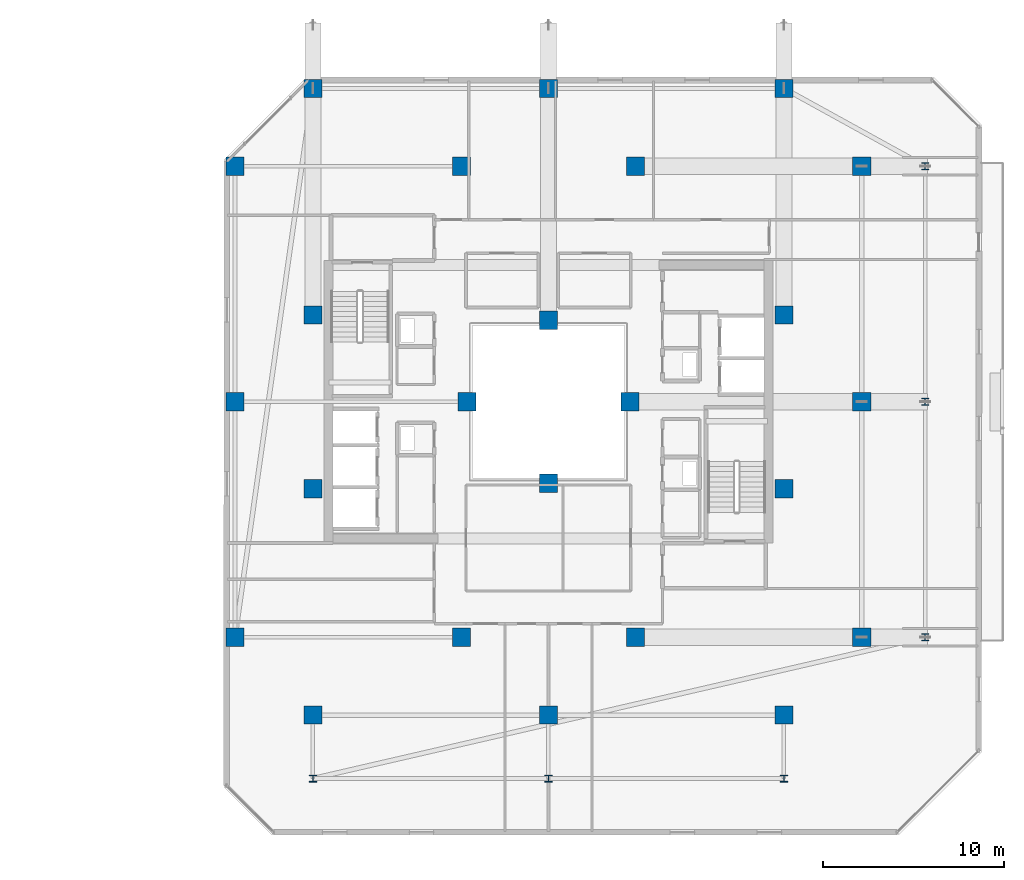
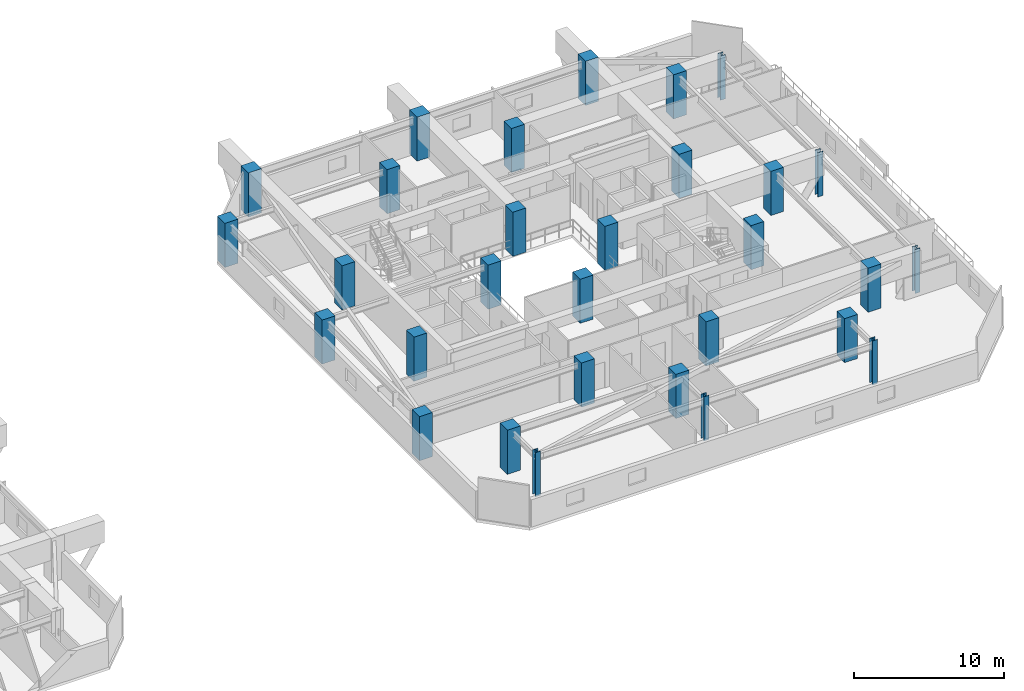
# One storey, part 2 of 34: 30 columns.
"""IFC4 building model written with IfcOpenShell, lengths in metres."""

from ifc_helpers import new_model, si_unit, direction, frame, origin, origin_2d, place, context, subcontext, project, spatial, rectangle, i_section, extrude, material, material_profile, profile_set, type_object, element, save


model = new_model("IFC4")

# Units and contexts
model_context = context("Model", 3, precision=1e-05, world=origin(), true_north=direction((0.0, 1.0)))
body_context = subcontext(model_context, "Body", "Model", "MODEL_VIEW")
ifc_project = project(units=[si_unit("LENGTHUNIT", "METRE"), si_unit("AREAUNIT", "SQUARE_METRE"), si_unit("VOLUMEUNIT", "CUBIC_METRE"), si_unit("PLANEANGLEUNIT", "RADIAN"), si_unit("MASSUNIT", "GRAM", prefix="KILO")], contexts=[model_context])

# Site, building, storey
site_placement = place(None, origin())
site = spatial("IfcSite", under=ifc_project, at=site_placement, CompositionType="ELEMENT")
building_placement = place(site_placement, origin())
building = spatial("IfcBuilding", under=site, at=building_placement, Name="Thornwick Lancets Civic Towers", CompositionType="ELEMENT")
storey_placement = place(building_placement, frame((0.0, 0.0, 251.10009765625)))
storey = spatial("IfcBuildingStorey", under=building, at=storey_placement, Name="L67", CompositionType="ELEMENT", Elevation=251.10009765625)

# Columns
ifc_material_1 = material(Name="Concrete C50/60", Category="concrete")
ifc_material_profile_1 = material_profile(ifc_material_1, rectangle(XDim=1.0, YDim=1.0, at=origin_2d()), Name="RC 1000x1000")
ifc_profile_set_1 = profile_set([ifc_material_profile_1], Name="Concrete C50/60")
column_type_1 = type_object("IfcColumnType", Name="COL_RC_1000", PredefinedType="COLUMN", material=ifc_profile_set_1)
for number, where, z_axis, x_axis, name in (
    (1, (105.800048828125, 14.0, 0.0), (0.0, 0.0, 1.0), (1.0, 0.0, 0.0), "L67 Spine Mega-Column B01"),
    (2, (105.800048828125, 27.0, 0.0), (0.0, 0.0, 1.0), (1.0, 0.0, 0.0), "L67 Spine Mega-Column B02"),
    (3, (105.800048828125, 40.0, 0.0), (0.0, 0.0, 1.0), (1.0, 0.0, 0.0), "L67 Spine Mega-Column B03"),
    (4, (101.5, 44.300048828125, 0.0), (0.0, 0.0, 1.0), (1.0, 0.0, 0.0), "L67 Spine Mega-Column B04"),
    (5, (88.5, 44.300048828125, 0.0), (0.0, 0.0, 1.0), (1.0, 0.0, 0.0), "L67 Spine Mega-Column B05"),
    (6, (75.5, 44.300048828125, 0.0), (0.0, 0.0, 1.0), (1.0, 0.0, 0.0), "L67 Spine Mega-Column B06"),
    (7, (71.199951171875, 14.0, 0.0), (0.0, 0.0, 1.0), (1.0, 0.0, 0.0), "L67 Spine Mega-Column B07"),
    (8, (71.199951171875, 27.0, 0.0), (0.0, 0.0, 1.0), (1.0, 0.0, 0.0), "L67 Spine Mega-Column B08"),
    (9, (71.199951171875, 40.0, 0.0), (0.0, 0.0, 1.0), (1.0, 0.0, 0.0), "L67 Spine Mega-Column B09"),
    (10, (101.5, 9.699951171875, 0.0), (0.0, 0.0, 1.0), (1.0, 0.0, 0.0), "L67 Spine Mega-Column B10"),
    (11, (88.5, 9.699951171875, 0.0), (0.0, 0.0, 1.0), (1.0, 0.0, 0.0), "L67 Spine Mega-Column B11"),
    (12, (75.5, 9.699951171875, 0.0), (0.0, 0.0, 1.0), (1.0, 0.0, 0.0), "L67 Spine Mega-Column B12"),
    (13, (93.300048828125, 14.0, 0.0), (0.0, 0.0, 1.0), (1.0, 0.0, 0.0), "L67 Spine Mega-Column B13"),
    (14, (93.300048828125, 40.0, 0.0), (0.0, 0.0, 1.0), (1.0, 0.0, 0.0), "L67 Spine Mega-Column B14"),
    (15, (83.699951171875, 14.0, 0.0), (0.0, 0.0, 1.0), (1.0, 0.0, 0.0), "L67 Spine Mega-Column B15"),
    (16, (83.699951171875, 40.0, 0.0), (0.0, 0.0, 1.0), (1.0, 0.0, 0.0), "L67 Spine Mega-Column B16"),
    (17, (101.5, 22.199951171875, 0.0), (0.0, 0.0, 1.0), (1.0, 0.0, 0.0), "L67 Spine Mega-Column B17"),
    (18, (101.5, 31.800048828125, 0.0), (0.0, 0.0, 1.0), (1.0, 0.0, 0.0), "L67 Spine Mega-Column B18"),
    (19, (75.5, 22.199951171875, 0.0), (0.0, 0.0, 1.0), (1.0, 0.0, 0.0), "L67 Spine Mega-Column B19"),
    (20, (75.5, 31.800048828125, 0.0), (0.0, 0.0, 1.0), (1.0, 0.0, 0.0), "L67 Spine Mega-Column B20"),
    (21, (93.0, 27.0, 0.0), (0.0, 0.0, 1.0), (1.0, 0.0, 0.0), "L67 Spine Mega-Column B21"),
    (22, (84.0, 27.0, 0.0), (0.0, 0.0, 1.0), (1.0, 0.0, 0.0), "L67 Spine Mega-Column B22"),
    (23, (88.5, 22.5, 0.0), (0.0, 0.0, 1.0), (1.0, 0.0, 0.0), "L67 Spine Mega-Column B23"),
    (24, (88.5, 31.5, 0.0), (0.0, 0.0, 1.0), (1.0, 0.0, 0.0), "L67 Spine Mega-Column B24"),
):
    element("IfcColumn", number, at=place(storey_placement, frame(where, z_axis=z_axis, x_axis=x_axis)), inside=storey, type_object=column_type_1, Name=name, PredefinedType="COLUMN", context=body_context, shape_type="SweptSolid", body=[
        extrude(rectangle(XDim=1.0, YDim=1.0, at=origin_2d()), origin(), (0.0, 0.0, 1.0), 3.599853515625),
    ])
ifc_material_2 = material(Name="Steel S355JR", Category="steel")
ifc_material_profile_2 = material_profile(ifc_material_2, i_section(OverallWidth=0.39892578125, OverallDepth=0.3935546875, WebThickness=0.022705078125, FlangeThickness=0.03662109375, FilletRadius=0.01513671875, at=origin_2d()), Name="UKC 356x406x287")
ifc_profile_set_2 = profile_set([ifc_material_profile_2], Name="Steel S355JR")
column_type_2 = type_object("IfcColumnType", Name="COL_UKC_287", PredefinedType="COLUMN", material=ifc_profile_set_2)
for number, where, z_axis, x_axis, name in (
    (25, (109.300048828125, 14.0, 0.0), (0.0, 0.0, 1.0), (1.0, 0.0, 0.0), "L67 Block Perimeter Column B01"),
    (26, (109.300048828125, 27.0, 0.0), (0.0, 0.0, 1.0), (1.0, 0.0, 0.0), "L67 Block Perimeter Column B02"),
    (27, (109.300048828125, 40.0, 0.0), (0.0, 0.0, 1.0), (1.0, 0.0, 0.0), "L67 Block Perimeter Column B03"),
    (28, (101.5, 6.199951171875, 0.0), (0.0, 0.0, 1.0), (1.0, 0.0, 0.0), "L67 Block Perimeter Column B10"),
    (29, (88.5, 6.199951171875, 0.0), (0.0, 0.0, 1.0), (1.0, 0.0, 0.0), "L67 Block Perimeter Column B11"),
    (30, (75.5, 6.199951171875, 0.0), (0.0, 0.0, 1.0), (1.0, 0.0, 0.0), "L67 Block Perimeter Column B12"),
):
    element("IfcColumn", number, at=place(storey_placement, frame(where, z_axis=z_axis, x_axis=x_axis)), inside=storey, type_object=column_type_2, Name=name, PredefinedType="COLUMN", context=body_context, shape_type="SweptSolid", body=[
        extrude(i_section(OverallWidth=0.39892578125, OverallDepth=0.3935546875, WebThickness=0.022705078125, FlangeThickness=0.03662109375, FilletRadius=0.01513671875, at=origin_2d()), origin(), (0.0, 0.0, 1.0), 3.599853515625),
    ])

save(model, "model.ifc")
